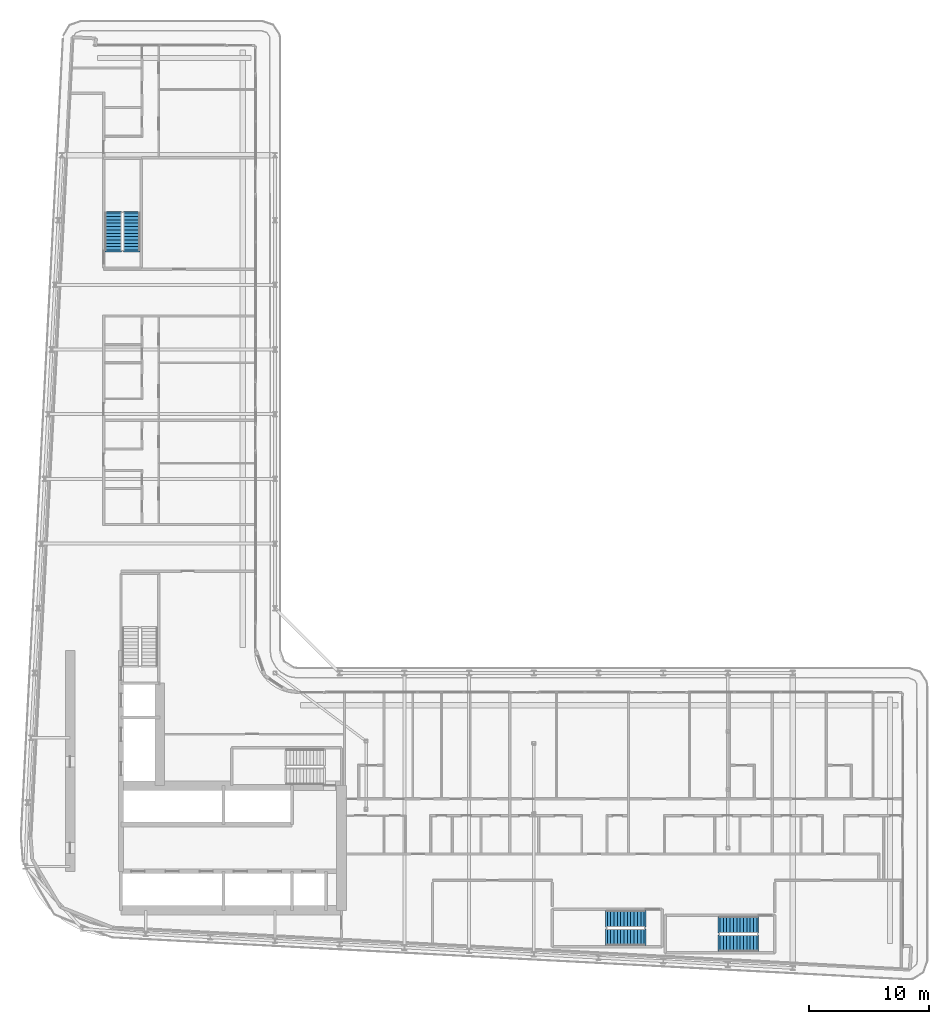
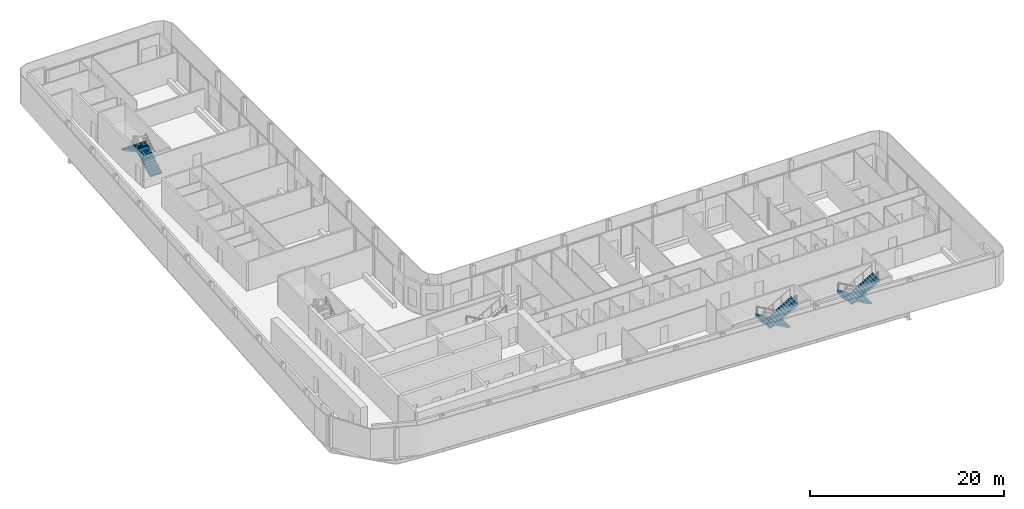
# One storey, part 23 of 30: 6 stair flights, 3 elements without a shape of their own.
"""IFC4 building model written with IfcOpenShell, lengths in metres."""

from ifc_helpers import new_model, si_unit, direction, frame, origin, place, context, subcontext, project, spatial, polyline, outline, extrude, material, layer, layer_set, type_object, element, aggregate, save


model = new_model("IFC4")

# Units and contexts
model_context = context("Model", 3, precision=1e-05, world=origin(), true_north=direction((0.0, 1.0)))
body_context = subcontext(model_context, "Body", "Model", "MODEL_VIEW")
ifc_project = project(units=[si_unit("LENGTHUNIT", "METRE"), si_unit("AREAUNIT", "SQUARE_METRE"), si_unit("VOLUMEUNIT", "CUBIC_METRE"), si_unit("PLANEANGLEUNIT", "RADIAN"), si_unit("MASSUNIT", "GRAM", prefix="KILO")], contexts=[model_context])

# Site, building, storey
site_placement = place(None, origin())
site = spatial("IfcSite", under=ifc_project, at=site_placement, CompositionType="ELEMENT")
building_placement = place(site_placement, origin())
building = spatial("IfcBuilding", under=site, at=building_placement, Name="Kheshtan School and Residences Tower", CompositionType="ELEMENT")
storey_placement = place(building_placement, frame((0.0, 0.0, 195.5)))
storey = spatial("IfcBuildingStorey", under=building, at=storey_placement, Name="L46", CompositionType="ELEMENT", Elevation=195.5)

# Stair, stair flights
ifc_material = material(Name="Concrete C40/50", Category="concrete")
stair_type = type_object("IfcStairType", Name="Exit stair, half-turn", PredefinedType="HALF_TURN_STAIR", material=ifc_material)
stair_1_placement = place(storey_placement, origin())
stair_1 = element("IfcStair", 1, at=stair_1_placement, inside=storey, type_object=stair_type, Name="L46 Protected Exit Stair ST3", PredefinedType="HALF_TURN_STAIR")
ifc_layer = layer(ifc_material, 0.14990234375)
ifc_layer_set = layer_set([ifc_layer], Name="Stair flight 1400 Concrete C40/50")
stair_flight_type = type_object("IfcStairFlightType", Name="Stair flight 1400 Concrete C40/50", PredefinedType="STRAIGHT", material=ifc_layer_set)
stair_flight_1_placement = place(storey_placement, frame((35.64990234375, 80.89990234375, 0.0), z_axis=(0.0, 0.0, 1.0), x_axis=(0.0, 1.0, 0.0)))
stair_flight_1 = element("IfcStairFlight", 2, at=stair_flight_1_placement, type_object=stair_flight_type, Name="ST3 flight 1", NumberOfRisers=12, NumberOfTreads=11, PredefinedType="STRAIGHT", RiserHeight=0.1625, TreadLength=0.28, context=body_context, shape_type="SweptSolid", body=[
    extrude(outline(polyline([(-0.14990234375, -0.10009765625), (-0.14990234375, 0.0), (0.0, 0.0), (0.0, 0.16259765625), (0.280029296875, 0.16259765625), (0.280029296875, 0.324951171875), (0.56005859375, 0.324951171875), (0.56005859375, 0.487548828125), (0.840087890625, 0.487548828125), (0.840087890625, 0.64990234375), (1.1201171875, 0.64990234375), (1.1201171875, 0.8125), (1.39990234375, 0.8125), (1.39990234375, 0.97509765625), (1.679931640625, 0.97509765625), (1.679931640625, 1.137451171875), (1.9599609375, 1.137451171875), (1.9599609375, 1.300048828125), (2.239990234375, 1.300048828125), (2.239990234375, 1.46240234375), (2.52001953125, 1.46240234375), (2.52001953125, 1.625), (2.800048828125, 1.625), (2.800048828125, 1.78759765625), (3.080078125, 1.78759765625), (3.080078125, 1.949951171875), (3.080078125, 1.969970703125), (3.22998046875, 1.969970703125), (3.22998046875, 1.6142578125), (0.298583984375, 0.0), (-0.14990234375, -0.10009765625)])), frame((0.0, 0.699951171875, 0.0), z_axis=(0.0, -1.0, 0.0), x_axis=(1.0, 0.0, 0.0)), (0.0, 0.0, 1.0), 1.39990234375),
])
stair_flight_2_placement = place(storey_placement, frame((34.10009765625, 83.97998046875, 1.949951171875), z_axis=(0.0, 0.0, 1.0), x_axis=(0.0, -1.0, 0.0)))
stair_flight_2 = element("IfcStairFlight", 3, at=stair_flight_2_placement, type_object=stair_flight_type, Name="ST3 flight 2", NumberOfRisers=12, NumberOfTreads=11, PredefinedType="STRAIGHT", RiserHeight=0.1625, TreadLength=0.28, context=body_context, shape_type="SweptSolid", body=[
    extrude(outline(polyline([(-0.14990234375, -0.10009765625), (-0.14990234375, 0.0), (0.0, 0.0), (0.0, 0.16259765625), (0.280029296875, 0.16259765625), (0.280029296875, 0.324951171875), (0.56005859375, 0.324951171875), (0.56005859375, 0.487548828125), (0.840087890625, 0.487548828125), (0.840087890625, 0.64990234375), (1.1201171875, 0.64990234375), (1.1201171875, 0.8125), (1.39990234375, 0.8125), (1.39990234375, 0.97509765625), (1.679931640625, 0.97509765625), (1.679931640625, 1.137451171875), (1.9599609375, 1.137451171875), (1.9599609375, 1.300048828125), (2.239990234375, 1.300048828125), (2.239990234375, 1.46240234375), (2.52001953125, 1.46240234375), (2.52001953125, 1.625), (2.800048828125, 1.625), (2.800048828125, 1.78759765625), (3.080078125, 1.78759765625), (3.080078125, 1.949951171875), (3.080078125, 1.969970703125), (3.22998046875, 1.969970703125), (3.22998046875, 1.6142578125), (0.298583984375, 0.0), (-0.14990234375, -0.10009765625)])), frame((0.0, 0.699951171875, 0.0), z_axis=(0.0, -1.0, 0.0), x_axis=(1.0, 0.0, 0.0)), (0.0, 0.0, 1.0), 1.39990234375),
])
aggregate(stair_1, [stair_flight_1, stair_flight_2])

stair_2_placement = place(storey_placement, origin())
stair_2 = element("IfcStair", 4, at=stair_2_placement, inside=storey, type_object=stair_type, Name="L46 Protected Exit Stair ST4", PredefinedType="HALF_TURN_STAIR")
stair_flight_3_placement = place(storey_placement, frame((87.820068359375, 24.60009765625, 0.0), z_axis=(0.0, 0.0, 1.0), x_axis=(-1.0, 0.0, 0.0)))
stair_flight_3 = element("IfcStairFlight", 5, at=stair_flight_3_placement, type_object=stair_flight_type, Name="ST4 flight 1", NumberOfRisers=12, NumberOfTreads=11, PredefinedType="STRAIGHT", RiserHeight=0.1625, TreadLength=0.28, context=body_context, shape_type="SweptSolid", body=[
    extrude(outline(polyline([(-0.14990234375, -0.10009765625), (-0.14990234375, 0.0), (0.0, 0.0), (0.0, 0.16259765625), (0.280029296875, 0.16259765625), (0.280029296875, 0.324951171875), (0.56005859375, 0.324951171875), (0.56005859375, 0.487548828125), (0.840087890625, 0.487548828125), (0.840087890625, 0.64990234375), (1.1201171875, 0.64990234375), (1.1201171875, 0.8125), (1.39990234375, 0.8125), (1.39990234375, 0.97509765625), (1.679931640625, 0.97509765625), (1.679931640625, 1.137451171875), (1.9599609375, 1.137451171875), (1.9599609375, 1.300048828125), (2.239990234375, 1.300048828125), (2.239990234375, 1.46240234375), (2.52001953125, 1.46240234375), (2.52001953125, 1.625), (2.800048828125, 1.625), (2.800048828125, 1.78759765625), (3.080078125, 1.78759765625), (3.080078125, 1.949951171875), (3.080078125, 1.969970703125), (3.22998046875, 1.969970703125), (3.22998046875, 1.6142578125), (0.298583984375, 0.0), (-0.14990234375, -0.10009765625)])), frame((0.0, 0.699951171875, 0.0), z_axis=(0.0, -1.0, 0.0), x_axis=(1.0, 0.0, 0.0)), (0.0, 0.0, 1.0), 1.39990234375),
])
stair_flight_4_placement = place(storey_placement, frame((84.739990234375, 23.050048828125, 1.949951171875), z_axis=(0.0, 0.0, 1.0), x_axis=(1.0, 0.0, 0.0)))
stair_flight_4 = element("IfcStairFlight", 6, at=stair_flight_4_placement, type_object=stair_flight_type, Name="ST4 flight 2", NumberOfRisers=12, NumberOfTreads=11, PredefinedType="STRAIGHT", RiserHeight=0.1625, TreadLength=0.28, context=body_context, shape_type="SweptSolid", body=[
    extrude(outline(polyline([(-0.14990234375, -0.10009765625), (-0.14990234375, 0.0), (0.0, 0.0), (0.0, 0.16259765625), (0.280029296875, 0.16259765625), (0.280029296875, 0.324951171875), (0.56005859375, 0.324951171875), (0.56005859375, 0.487548828125), (0.840087890625, 0.487548828125), (0.840087890625, 0.64990234375), (1.1201171875, 0.64990234375), (1.1201171875, 0.8125), (1.39990234375, 0.8125), (1.39990234375, 0.97509765625), (1.679931640625, 0.97509765625), (1.679931640625, 1.137451171875), (1.9599609375, 1.137451171875), (1.9599609375, 1.300048828125), (2.239990234375, 1.300048828125), (2.239990234375, 1.46240234375), (2.52001953125, 1.46240234375), (2.52001953125, 1.625), (2.800048828125, 1.625), (2.800048828125, 1.78759765625), (3.080078125, 1.78759765625), (3.080078125, 1.949951171875), (3.080078125, 1.969970703125), (3.22998046875, 1.969970703125), (3.22998046875, 1.6142578125), (0.298583984375, 0.0), (-0.14990234375, -0.10009765625)])), frame((0.0, 0.699951171875, 0.0), z_axis=(0.0, -1.0, 0.0), x_axis=(1.0, 0.0, 0.0)), (0.0, 0.0, 1.0), 1.39990234375),
])
aggregate(stair_2, [stair_flight_3, stair_flight_4])

stair_3_placement = place(storey_placement, origin())
stair_3 = element("IfcStair", 7, at=stair_3_placement, inside=storey, type_object=stair_type, Name="L46 Protected Exit Stair ST5", PredefinedType="HALF_TURN_STAIR")
stair_flight_5_placement = place(storey_placement, frame((78.409912109375, 25.10009765625, 0.0), z_axis=(0.0, 0.0, 1.0), x_axis=(-1.0, 0.0, 0.0)))
stair_flight_5 = element("IfcStairFlight", 8, at=stair_flight_5_placement, type_object=stair_flight_type, Name="ST5 flight 1", NumberOfRisers=12, NumberOfTreads=11, PredefinedType="STRAIGHT", RiserHeight=0.1625, TreadLength=0.28, context=body_context, shape_type="SweptSolid", body=[
    extrude(outline(polyline([(-0.14990234375, -0.10009765625), (-0.14990234375, 0.0), (0.0, 0.0), (0.0, 0.16259765625), (0.280029296875, 0.16259765625), (0.280029296875, 0.324951171875), (0.56005859375, 0.324951171875), (0.56005859375, 0.487548828125), (0.840087890625, 0.487548828125), (0.840087890625, 0.64990234375), (1.1201171875, 0.64990234375), (1.1201171875, 0.8125), (1.39990234375, 0.8125), (1.39990234375, 0.97509765625), (1.679931640625, 0.97509765625), (1.679931640625, 1.137451171875), (1.9599609375, 1.137451171875), (1.9599609375, 1.300048828125), (2.239990234375, 1.300048828125), (2.239990234375, 1.46240234375), (2.52001953125, 1.46240234375), (2.52001953125, 1.625), (2.800048828125, 1.625), (2.800048828125, 1.78759765625), (3.080078125, 1.78759765625), (3.080078125, 1.949951171875), (3.080078125, 1.969970703125), (3.22998046875, 1.969970703125), (3.22998046875, 1.6142578125), (0.298583984375, 0.0), (-0.14990234375, -0.10009765625)])), frame((0.0, 0.699951171875, 0.0), z_axis=(0.0, -1.0, 0.0), x_axis=(1.0, 0.0, 0.0)), (0.0, 0.0, 1.0), 1.39990234375),
])
stair_flight_6_placement = place(storey_placement, frame((75.330078125, 23.550048828125, 1.949951171875), z_axis=(0.0, 0.0, 1.0), x_axis=(1.0, 0.0, 0.0)))
stair_flight_6 = element("IfcStairFlight", 9, at=stair_flight_6_placement, type_object=stair_flight_type, Name="ST5 flight 2", NumberOfRisers=12, NumberOfTreads=11, PredefinedType="STRAIGHT", RiserHeight=0.1625, TreadLength=0.28, context=body_context, shape_type="SweptSolid", body=[
    extrude(outline(polyline([(-0.14990234375, -0.10009765625), (-0.14990234375, 0.0), (0.0, 0.0), (0.0, 0.16259765625), (0.280029296875, 0.16259765625), (0.280029296875, 0.324951171875), (0.56005859375, 0.324951171875), (0.56005859375, 0.487548828125), (0.840087890625, 0.487548828125), (0.840087890625, 0.64990234375), (1.1201171875, 0.64990234375), (1.1201171875, 0.8125), (1.39990234375, 0.8125), (1.39990234375, 0.97509765625), (1.679931640625, 0.97509765625), (1.679931640625, 1.137451171875), (1.9599609375, 1.137451171875), (1.9599609375, 1.300048828125), (2.239990234375, 1.300048828125), (2.239990234375, 1.46240234375), (2.52001953125, 1.46240234375), (2.52001953125, 1.625), (2.800048828125, 1.625), (2.800048828125, 1.78759765625), (3.080078125, 1.78759765625), (3.080078125, 1.949951171875), (3.080078125, 1.969970703125), (3.22998046875, 1.969970703125), (3.22998046875, 1.6142578125), (0.298583984375, 0.0), (-0.14990234375, -0.10009765625)])), frame((0.0, 0.699951171875, 0.0), z_axis=(0.0, -1.0, 0.0), x_axis=(1.0, 0.0, 0.0)), (0.0, 0.0, 1.0), 1.39990234375),
])
aggregate(stair_3, [stair_flight_5, stair_flight_6])

save(model, "model.ifc")
